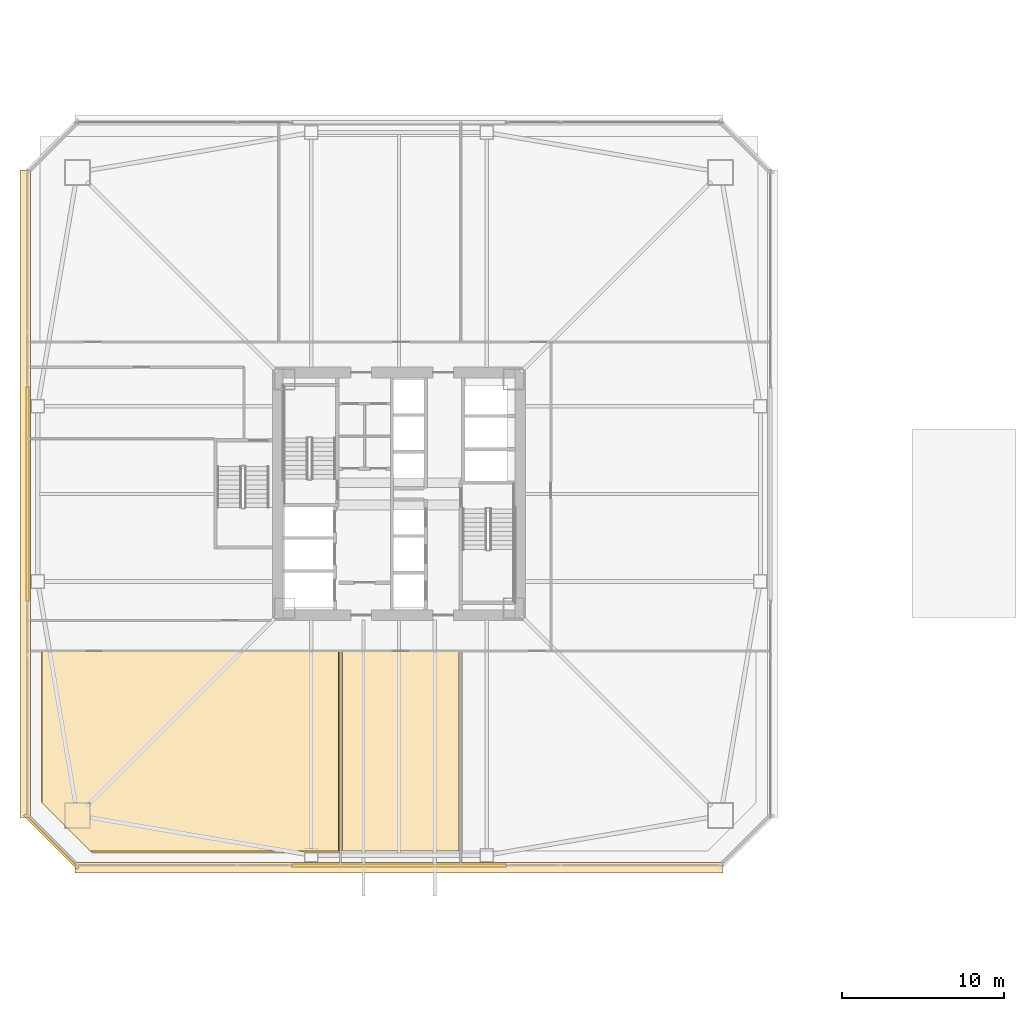
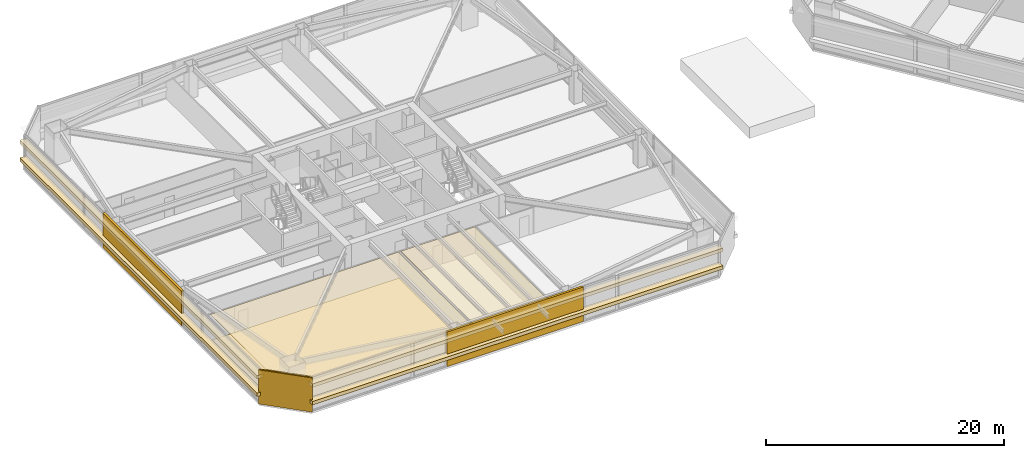
# One storey, part 39 of 46: 10 coverings.
"""IFC4 building model written with IfcOpenShell, lengths in metres."""

from ifc_helpers import new_model, si_unit, direction, frame, origin, origin_2d, place, context, subcontext, project, spatial, polyline, rectangle, outline, extrude, material, layer, layer_set, type_object, element, save


model = new_model("IFC4")

# Units and contexts
model_context = context("Model", 3, precision=1e-05, world=origin(), true_north=direction((0.0, 1.0)))
body_context = subcontext(model_context, "Body", "Model", "MODEL_VIEW")
ifc_project = project(units=[si_unit("LENGTHUNIT", "METRE"), si_unit("AREAUNIT", "SQUARE_METRE"), si_unit("VOLUMEUNIT", "CUBIC_METRE"), si_unit("PLANEANGLEUNIT", "RADIAN"), si_unit("MASSUNIT", "GRAM", prefix="KILO")], contexts=[model_context])

# Site, building, storey
site_placement = place(None, origin())
site = spatial("IfcSite", under=ifc_project, at=site_placement, CompositionType="ELEMENT")
building_placement = place(site_placement, origin())
building = spatial("IfcBuilding", under=site, at=building_placement, Name="Tashvorn Skyway Center", CompositionType="ELEMENT")
storey_placement = place(building_placement, frame((0.0, 0.0, 31.699951171875)))
storey = spatial("IfcBuildingStorey", under=building, at=storey_placement, Name="L07", CompositionType="ELEMENT", Elevation=31.699951171875)

# Coverings
ifc_material_1 = material(Name="Precast concrete C40/50", Category="concrete")
ifc_layer_1 = layer(ifc_material_1, 0.199951171875)
ifc_layer_set_1 = layer_set([ifc_layer_1], Name="Precast concrete C40/50")
covering_type_1 = type_object("IfcCoveringType", Name="COV-BRACE-CLAD", PredefinedType="CLADDING", material=ifc_layer_set_1)
for number, where, z_axis, x_axis, name in (
    (1, (42.0, 9.1201171875, 0.0), (0.0, 0.0, 1.0), (-1.0, 0.0, 0.0), "Tower 1 L07 South Unitised Curtain Wall Mega-Brace Cladding Band 1"),
    (2, (19.1201171875, 32.0, 0.0), (0.0, 0.0, 1.0), (0.0, 1.0, 0.0), "Tower 1 L07 West Unitised Curtain Wall Mega-Brace Cladding Band 1"),
):
    element("IfcCovering", number, at=place(storey_placement, frame(where, z_axis=z_axis, x_axis=x_axis)), inside=storey, type_object=covering_type_1, Name=name, PredefinedType="CLADDING", context=body_context, shape_type="SweptSolid", body=[
        extrude(rectangle(XDim=13.25341796875, YDim=0.199951171875, at=origin_2d()), origin(), (0.0, 0.0, 1.0), 3.550048828125),
    ])
ifc_material_2 = material(Name="Mineral-fibre acoustic ceiling tile on suspended grid")
ifc_layer_2 = layer(ifc_material_2, 0.02001953125)
ifc_layer_set_2 = layer_set([ifc_layer_2], Name="Mineral-fibre acoustic ceiling tile on suspended grid")
covering_type_2 = type_object("IfcCoveringType", Name="COV-CEIL-20", PredefinedType="CEILING", material=ifc_layer_set_2)
covering_1_placement = place(storey_placement, frame((0.0, 0.0, 2.68310546875)))
element("IfcCovering", 3, at=covering_1_placement, inside=storey, type_object=covering_type_2, Name="Tower 1 L07 Open Plan Office Acoustic Ceiling", PredefinedType="CEILING", context=body_context, shape_type="SweptSolid", body=[
    extrude(outline(polyline([(20.02001953125, 22.2900390625), (38.280029296875, 22.2900390625), (38.280029296875, 10.02001953125), (22.97998046875, 10.02001953125), (20.02001953125, 12.97998046875), (20.02001953125, 22.2900390625)])), origin(), (0.0, 0.0, 1.0), 0.02001953125),
])
covering_2_placement = place(storey_placement, frame((0.0, 0.0, 2.68310546875)))
element("IfcCovering", 4, at=covering_2_placement, inside=storey, type_object=covering_type_2, Name="Tower 1 L07 Catering Pantry Acoustic Ceiling", PredefinedType="CEILING", context=body_context, shape_type="SweptSolid", body=[
    extrude(outline(polyline([(38.52001953125, 22.2900390625), (45.679931640625, 22.2900390625), (45.679931640625, 10.02001953125), (38.52001953125, 10.02001953125), (38.52001953125, 22.2900390625)])), origin(), (0.0, 0.0, 1.0), 0.02001953125),
])
ifc_material_3 = material(Name="Polished Mojave desert-aggregate terrazzo and cover plate")
ifc_layer_3 = layer(ifc_material_3, 0.0400390625)
ifc_layer_set_3 = layer_set([ifc_layer_3], Name="Polished Mojave desert-aggregate terrazzo and cover plate")
covering_type_3 = type_object("IfcCoveringType", Name="COV-FLR-40", PredefinedType="FLOORING", material=ifc_layer_set_3)
covering_3_placement = place(storey_placement, origin())
element("IfcCovering", 5, at=covering_3_placement, inside=storey, type_object=covering_type_3, Name="Tower 1 L07 Open Plan Office Finish Flooring", PredefinedType="FLOORING", context=body_context, shape_type="SweptSolid", body=[
    extrude(outline(polyline([(23.10009765625, 9.89990234375), (19.97998046875, 13.02001953125), (19.97998046875, 22.25), (38.320068359375, 22.25), (38.320068359375, 9.89990234375), (23.10009765625, 9.89990234375)])), origin(), (0.0, 0.0, 1.0), 0.0400390625),
])
ifc_material_4 = material(Name="Perforated ceramic-coated bronze aluminium solar screen", Category="aluminium")
ifc_layer_4 = layer(ifc_material_4, 0.85009765625)
ifc_layer_set_4 = layer_set([ifc_layer_4], Name="Perforated ceramic-coated bronze aluminium solar screen")
covering_type_4 = type_object("IfcCoveringType", Name="COV-SOLAR-BAND", PredefinedType="CLADDING", material=ifc_layer_set_4)
for number, where, z_axis, x_axis, name in (
    (6, (42.0, 8.97998046875, 0.919921875), (0.0, 0.0, 1.0), (-1.0, 0.0, 0.0), "L07 Perforated Ceramic-Metal Solar Screen Louvre Band South 1"),
    (7, (42.0, 8.97998046875, 2.72021484375), (0.0, 0.0, 1.0), (-1.0, 0.0, 0.0), "L07 Perforated Ceramic-Metal Solar Screen Louvre Band South 2"),
    (8, (18.97998046875, 32.0, 0.919921875), (0.0, 0.0, 1.0), (0.0, 1.0, 0.0), "L07 Perforated Ceramic-Metal Solar Screen Louvre Band West 1"),
    (9, (18.97998046875, 32.0, 2.72021484375), (0.0, 0.0, 1.0), (0.0, 1.0, 0.0), "L07 Perforated Ceramic-Metal Solar Screen Louvre Band West 2"),
):
    element("IfcCovering", number, at=place(storey_placement, frame(where, z_axis=z_axis, x_axis=x_axis)), inside=storey, type_object=covering_type_4, Name=name, PredefinedType="CLADDING", context=body_context, shape_type="SweptSolid", body=[
        extrude(rectangle(XDim=39.8798828125, YDim=0.639892578125, at=origin_2d()), origin(), (0.0, 0.0, 1.0), 0.360107421875),
    ])
ifc_layer_5 = layer(ifc_material_1, 0.35009765625)
ifc_layer_set_5 = layer_set([ifc_layer_5], Name="Precast concrete C40/50")
covering_type_5 = type_object("IfcCoveringType", Name="COV-STONE-TRIM", PredefinedType="CLADDING", material=ifc_layer_set_5)
covering_4_placement = place(storey_placement, frame((20.580078125, 10.580078125, 0.02001953125), z_axis=(0.0, 0.0, 1.0), x_axis=(-0.707106781187, 0.707106781187, 0.0)))
element("IfcCovering", 10, at=covering_4_placement, inside=storey, type_object=covering_type_5, Name="Tower 1 L07 SW Mojave Limestone Corner Quoin", PredefinedType="CLADDING", context=body_context, shape_type="SweptSolid", body=[
    extrude(rectangle(XDim=4.685546875, YDim=0.139892578125, at=origin_2d()), origin(), (0.0, 0.0, 1.0), 3.510009765625),
])

save(model, "model.ifc")
